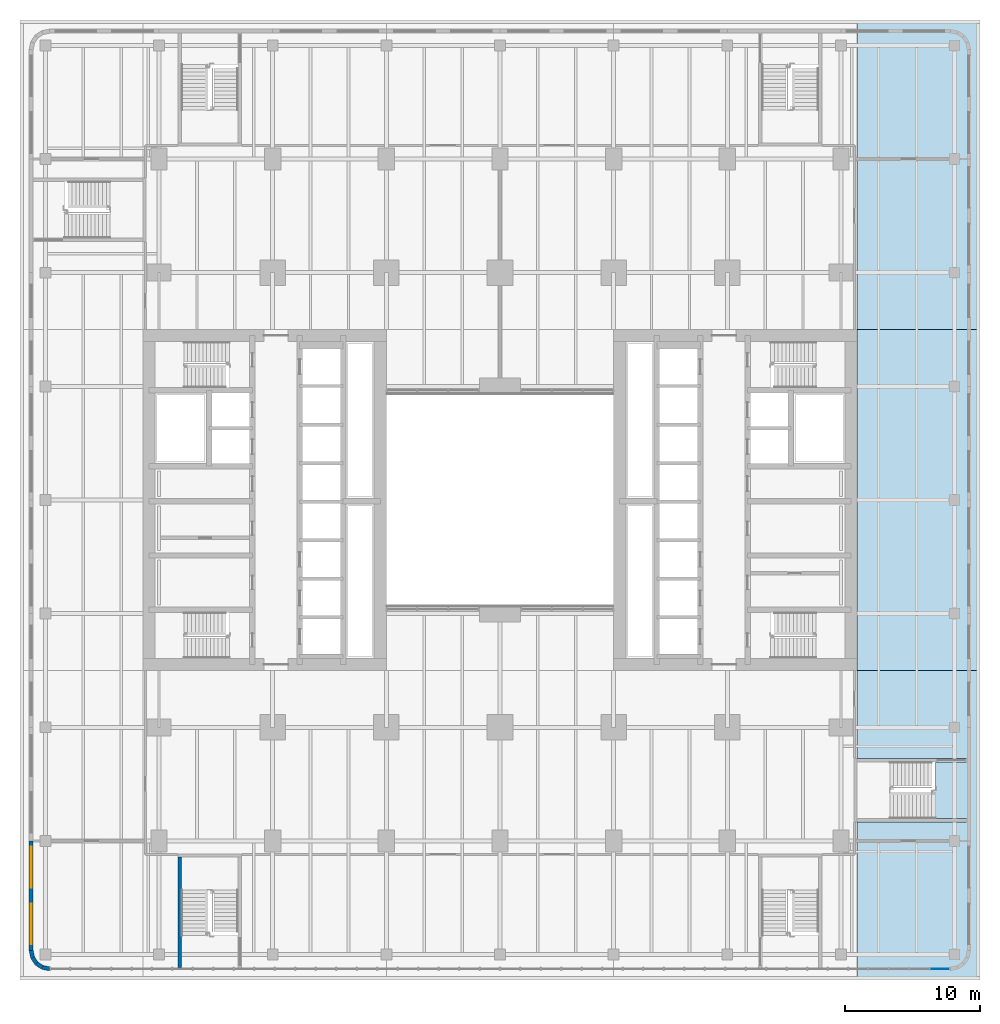
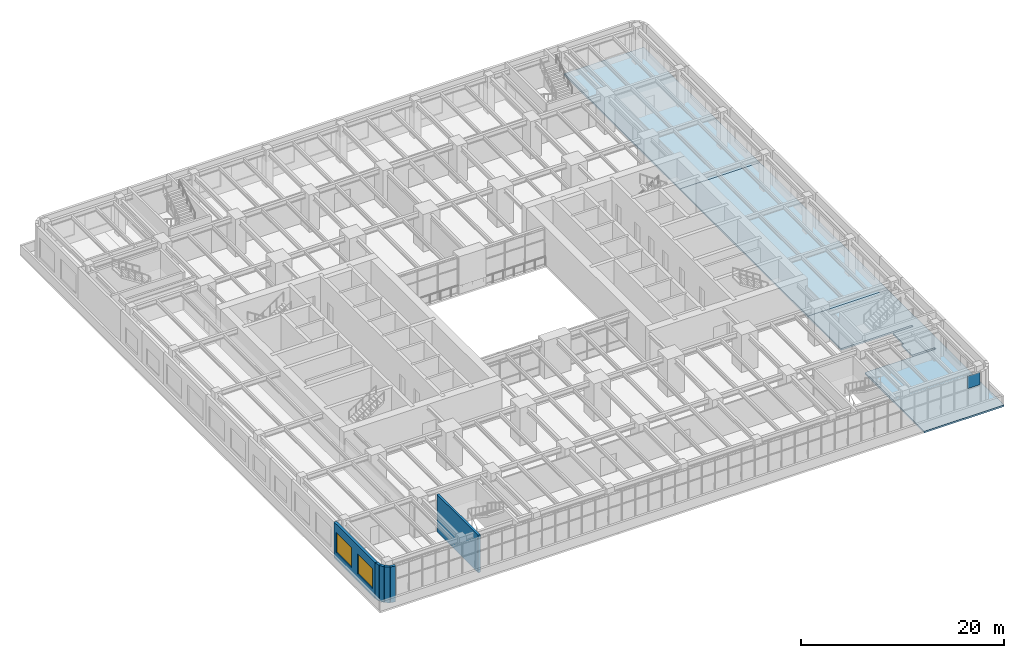
# One storey, part 16 of 30: 6 walls, 3 slabs, 2 windows, 1 plate, 2 openings, 1 element without a shape of its own.
"""IFC4 building model written with IfcOpenShell, lengths in metres."""

from ifc_helpers import new_model, si_unit, direction, frame, frame_2d, origin, origin_2d, place, context, subcontext, project, spatial, polyline, rectangle, outline, extrude, material, layer, layer_set, type_object, element, fill, aggregate, save


model = new_model("IFC4")

# Units and contexts
model_context = context("Model", 3, precision=1e-05, world=origin(), true_north=direction((0.0, 1.0)))
body_context = subcontext(model_context, "Body", "Model", "MODEL_VIEW")
ifc_project = project(units=[si_unit("LENGTHUNIT", "METRE"), si_unit("AREAUNIT", "SQUARE_METRE"), si_unit("VOLUMEUNIT", "CUBIC_METRE"), si_unit("PLANEANGLEUNIT", "RADIAN"), si_unit("MASSUNIT", "GRAM", prefix="KILO")], contexts=[model_context])

# Site, building, storey
site_placement = place(None, origin())
site = spatial("IfcSite", under=ifc_project, at=site_placement, CompositionType="ELEMENT")
building_placement = place(site_placement, origin())
building = spatial("IfcBuilding", under=site, at=building_placement, Name="Claustro Exchange Tower", CompositionType="ELEMENT")
storey_placement = place(building_placement, frame((0.0, 0.0, 5.39990234375)))
storey = spatial("IfcBuildingStorey", under=building, at=storey_placement, Name="L01", CompositionType="ELEMENT", Elevation=5.39990234375)

# Curtain wall, plate
ifc_material_1 = material(Name="Aluminium frame, clear double glazing", Category="aluminium")
curtain_wall_type = type_object("IfcCurtainWallType", Name="CW1 storefront curtain wall", PredefinedType="USERDEFINED", material=ifc_material_1)
curtain_wall_placement = place(storey_placement, origin())
curtain_wall = element("IfcCurtainWall", 1, at=curtain_wall_placement, inside=storey, type_object=curtain_wall_type, Name="Curtain wall CW1 L01", ObjectType="STICK CURTAIN WALL", PredefinedType="USERDEFINED")
ifc_material_2 = material(Name="Clear double glazing", Category="glass")
ifc_layer_1 = layer(ifc_material_2, 0.031982421875)
ifc_layer_set_1 = layer_set([ifc_layer_1], Name="Clear double glazing")
plate_type = type_object("IfcPlateType", Name="CW1-P 32 glazed panel", PredefinedType="CURTAIN_PANEL", material=ifc_layer_set_1)
plate_placement = place(storey_placement, frame((57.7099609375, -9.449951171875, 2.73779296875), z_axis=(0.0, 0.0, 1.0), x_axis=(1.0, 0.0, 0.0)))
plate = element("IfcPlate", 2, at=plate_placement, type_object=plate_type, Name="CW1 panel 44.2", PredefinedType="CURTAIN_PANEL", context=body_context, shape_type="SweptSolid", body=[
    extrude(rectangle(XDim=1.400390625, YDim=0.031982421875, at=origin_2d()), origin(), (0.0, 0.0, 1.0), 1.487548828125),
])
aggregate(curtain_wall, [plate])

# Slabs
ifc_material_3 = material(Name="Concrete HA-50 (C50/60)", Category="concrete")
ifc_layer_2 = layer(ifc_material_3, 0.199951171875)
ifc_layer_set_2 = layer_set([ifc_layer_2], Name="Concrete HA-50 (C50/60)")
slab_type = type_object("IfcSlabType", Name="S3 200 plant floor slab", PredefinedType="FLOOR", material=ifc_layer_set_2)
slab_1_placement = place(storey_placement, frame((0.0, 0.0, -0.199951171875)))
element("IfcSlab", 3, at=slab_1_placement, inside=storey, type_object=slab_type, Name="Floor slab S3 S L01", PredefinedType="FLOOR", context=body_context, shape_type="SweptSolid", body=[
    extrude(outline(polyline([(60.675048828125, -10.27490234375), (60.675048828125, 12.60009765625), (51.60009765625, 12.60009765625), (51.60009765625, 6.10009765625), (59.679931640625, 6.10009765625), (59.679931640625, 5.85009765625), (57.375, 5.85009765625), (57.375, 3.75), (57.10009765625, 3.75), (57.10009765625, 1.64990234375), (59.679931640625, 1.64990234375), (59.679931640625, 1.39990234375), (51.60009765625, 1.39990234375), (51.60009765625, -10.27490234375), (60.675048828125, -10.27490234375)])), origin(), (0.0, 0.0, 1.0), 0.199951171875),
])
slab_2_placement = place(storey_placement, frame((0.0, 0.0, -0.199951171875)))
element("IfcSlab", 4, at=slab_2_placement, inside=storey, type_object=slab_type, Name="Floor slab S3 E L01", PredefinedType="FLOOR", context=body_context, shape_type="SweptSolid", body=[
    extrude(outline(polyline([(60.675048828125, 12.60009765625), (60.675048828125, 37.800048828125), (51.60009765625, 37.800048828125), (51.60009765625, 12.60009765625), (60.675048828125, 12.60009765625)])), origin(), (0.0, 0.0, 1.0), 0.199951171875),
])
slab_3_placement = place(storey_placement, frame((0.0, 0.0, -0.199951171875)))
element("IfcSlab", 5, at=slab_3_placement, inside=storey, type_object=slab_type, Name="Floor slab S3 N L01", PredefinedType="FLOOR", context=body_context, shape_type="SweptSolid", body=[
    extrude(outline(polyline([(60.675048828125, 37.800048828125), (60.675048828125, 60.675048828125), (51.60009765625, 60.675048828125), (51.60009765625, 37.800048828125), (60.675048828125, 37.800048828125)])), origin(), (0.0, 0.0, 1.0), 0.199951171875),
])

# Walls
ifc_material_4 = material(Name="Concrete HA-40 (C40/50), precast, white cement, acid-etched", Category="concrete")
ifc_layer_3 = layer(ifc_material_4, 0.300048828125)
ifc_layer_set_3 = layer_set([ifc_layer_3], Name="Concrete HA-40 (C40/50), precast, white cement, acid-etched")
wall_type_1 = type_object("IfcWallType", Name="PC1 300 precast concrete pier panel", PredefinedType="SOLIDWALL", material=ifc_layer_set_3)
wall_1_placement = place(storey_placement, frame((-8.085205078125, -9.449951171875, 0.0), z_axis=(0.0, 0.0, 1.0), x_axis=(-0.980788534345, 0.195073962632, 0.0)))
element("IfcWall", 6, at=wall_1_placement, inside=storey, type_object=wall_type_1, Name="Precast pier panel PC1 L01", PredefinedType="SOLIDWALL", context=body_context, shape_type="SweptSolid", body=[
    extrude(rectangle(XDim=0.540771484375, YDim=0.300048828125, at=frame_2d((0.2705078125, 0.0))), origin(), (0.0, 0.0, 1.0), 4.300048828125),
])
for number, where, z_axis, x_axis, name in (
    (7, (-8.615478515625, -9.344482421875, 0.0), (0.0, 0.0, 1.0), (-0.831478144188, 0.555557463938, 0.0), "Precast pier panel PC1 L01"),
    (8, (-9.052490234375, -9.052490234375, 0.0), (0.0, 0.0, 1.0), (-0.555557463938, 0.831478144188, 0.0), "Precast pier panel PC1 L01"),
):
    element("IfcWall", number, at=place(storey_placement, frame(where, z_axis=z_axis, x_axis=x_axis)), inside=storey, type_object=wall_type_1, Name=name, PredefinedType="SOLIDWALL", context=body_context, shape_type="SweptSolid", body=[
        extrude(rectangle(XDim=0.525634765625, YDim=0.300048828125, at=frame_2d((0.2626953125, 0.0))), origin(), (0.0, 0.0, 1.0), 4.300048828125),
    ])
wall_2_placement = place(storey_placement, frame((-9.344482421875, -8.615478515625, 0.0), z_axis=(0.0, 0.0, 1.0), x_axis=(-0.195073962632, 0.980788534345, 0.0)))
element("IfcWall", 9, at=wall_2_placement, inside=storey, type_object=wall_type_1, Name="Precast pier panel PC1 L01", PredefinedType="SOLIDWALL", context=body_context, shape_type="SweptSolid", body=[
    extrude(rectangle(XDim=0.540771484375, YDim=0.300048828125, at=frame_2d((0.2705078125, 0.0))), origin(), (0.0, 0.0, 1.0), 4.300048828125),
])

# Wall, openings, windows
wall_3_placement = place(storey_placement, frame((-9.449951171875, -8.085205078125, 0.0), z_axis=(0.0, 0.0, 1.0), x_axis=(0.0, 1.0, 0.0)))
wall_3 = element("IfcWall", 10, at=wall_3_placement, inside=storey, type_object=wall_type_1, Name="Precast pier panel PC1 L01", PredefinedType="SOLIDWALL", context=body_context, shape_type="SweptSolid", body=[
    extrude(rectangle(XDim=8.085205078125, YDim=0.300048828125, at=frame_2d((4.04248046875, 0.0))), origin(), (0.0, 0.0, 1.0), 4.300048828125),
])
opening_1_placement = place(wall_3_placement, frame((0.442626953125, 0.0, 0.89990234375)))
opening_1 = element("IfcOpeningElement", 11, at=opening_1_placement, cuts=wall_3, Name="Opening W3", PredefinedType="OPENING", context=body_context, shape_type="SweptSolid", body=[
    extrude(rectangle(XDim=3.0, YDim=2.39990234375, at=frame_2d((1.5, 1.199951171875))), frame((0.0, 0.159912109375, 0.0), z_axis=(0.0, -1.0, 0.0), x_axis=(1.0, 0.0, 0.0)), (0.0, 0.0, 1.0), 0.320068359375),
])
opening_2_placement = place(wall_3_placement, frame((4.642578125, 0.0, 0.89990234375)))
opening_2 = element("IfcOpeningElement", 12, at=opening_2_placement, cuts=wall_3, Name="Opening W3", PredefinedType="OPENING", context=body_context, shape_type="SweptSolid", body=[
    extrude(rectangle(XDim=3.0, YDim=2.39990234375, at=frame_2d((1.5, 1.199951171875))), frame((0.0, 0.159912109375, 0.0), z_axis=(0.0, -1.0, 0.0), x_axis=(1.0, 0.0, 0.0)), (0.0, 0.0, 1.0), 0.320068359375),
])
ifc_material_5 = material(Name="Aluminium frame, clear double glazing", Category="aluminium")
window_type = type_object("IfcWindowType", Name="W3 3000 x 2400 window", PartitioningType="SINGLE_PANEL", PredefinedType="WINDOW", material=ifc_material_5)
window_1_placement = place(opening_1_placement, origin())
window_1 = element("IfcWindow", 13, at=window_1_placement, inside=storey, type_object=window_type, Name="Window W3 L01", OverallHeight=2.39990234375, OverallWidth=3.0, PartitioningType="SINGLE_PANEL", PredefinedType="WINDOW", context=body_context, shape_type="SweptSolid", body=[
    extrude(rectangle(XDim=3.0, YDim=2.39990234375, at=frame_2d((1.5, 1.199951171875))), frame((0.0, 0.030029296875, 0.0), z_axis=(0.0, -1.0, 0.0), x_axis=(1.0, 0.0, 0.0)), (0.0, 0.0, 1.0), 0.06005859375),
])
fill(opening_1, window_1)
window_2_placement = place(opening_2_placement, origin())
window_2 = element("IfcWindow", 14, at=window_2_placement, inside=storey, type_object=window_type, Name="Window W3 L01", OverallHeight=2.39990234375, OverallWidth=3.0, PartitioningType="SINGLE_PANEL", PredefinedType="WINDOW", context=body_context, shape_type="SweptSolid", body=[
    extrude(rectangle(XDim=3.0, YDim=2.39990234375, at=frame_2d((1.5, 1.199951171875))), frame((0.0, 0.030029296875, 0.0), z_axis=(0.0, -1.0, 0.0), x_axis=(1.0, 0.0, 0.0)), (0.0, 0.0, 1.0), 0.06005859375),
])
fill(opening_2, window_2)

# Wall
ifc_material_6 = material(Name="Concrete HA-40 (C40/50)", Category="concrete")
ifc_layer_4 = layer(ifc_material_6, 0.25)
ifc_layer_set_4 = layer_set([ifc_layer_4], Name="Concrete HA-40 (C40/50)")
wall_type_2 = type_object("IfcWallType", Name="SW7 250 reinforced concrete stair wall", PredefinedType="SOLIDWALL", material=ifc_layer_set_4)
wall_4_placement = place(storey_placement, frame((1.52490234375, -9.35205078125, 0.0), z_axis=(0.0, 0.0, 1.0), x_axis=(0.0, 1.0, 0.0)))
element("IfcWall", 15, at=wall_4_placement, inside=storey, type_object=wall_type_2, Name="Stair enclosure wall STP1 SW7 L01", PredefinedType="SOLIDWALL", context=body_context, shape_type="SweptSolid", body=[
    extrude(rectangle(XDim=8.152099609375, YDim=0.25, at=frame_2d((4.076171875, 0.0))), origin(), (0.0, 0.0, 1.0), 4.5),
])

save(model, "model.ifc")
